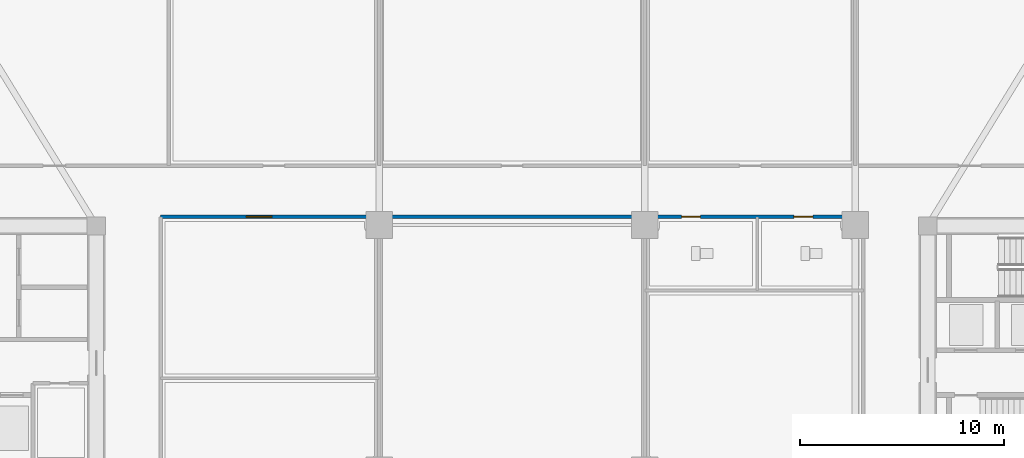
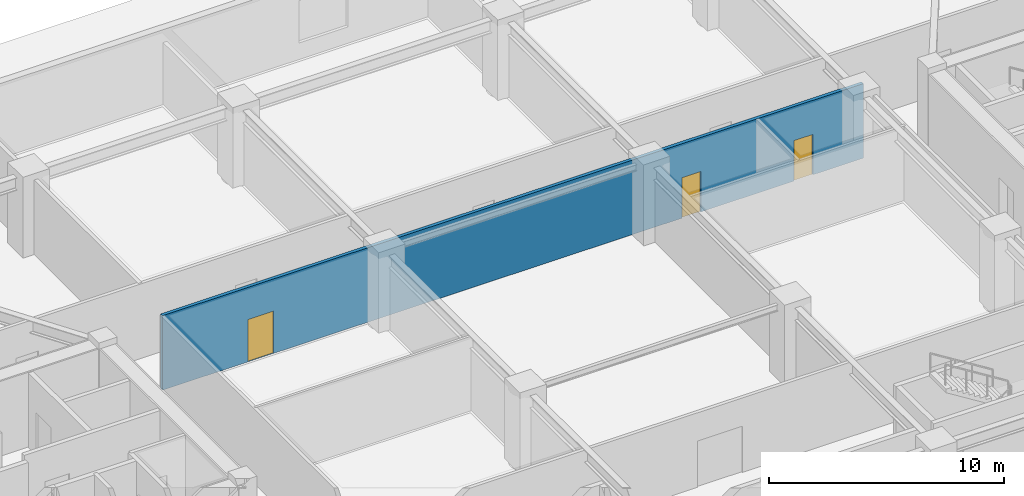
# One storey, part 7 of 22: 3 doors, 1 wall, 3 openings.
"""IFC4 building model written with IfcOpenShell, lengths in metres."""

from ifc_helpers import new_model, si_unit, direction, frame, frame_2d, origin, place, context, subcontext, project, spatial, rectangle, extrude, source, transform, mapped, material, layer, layer_set, type_object, type_shapes, element, fill, save


model = new_model("IFC4")

# Units and contexts
model_context = context("Model", 3, precision=1e-05, world=origin(), true_north=direction((0.0, 1.0)))
body_context = subcontext(model_context, "Body", "Model", "MODEL_VIEW")
ifc_project = project(units=[si_unit("LENGTHUNIT", "METRE"), si_unit("AREAUNIT", "SQUARE_METRE"), si_unit("VOLUMEUNIT", "CUBIC_METRE"), si_unit("PLANEANGLEUNIT", "RADIAN"), si_unit("MASSUNIT", "GRAM", prefix="KILO")], contexts=[model_context])

# Site, building, storey
site_placement = place(None, origin())
site = spatial("IfcSite", under=ifc_project, at=site_placement, CompositionType="ELEMENT")
building_placement = place(site_placement, origin())
building = spatial("IfcBuilding", under=site, at=building_placement, Name="Norrkilde Senior Care Towers", CompositionType="ELEMENT")
storey_placement = place(building_placement, origin())
storey = spatial("IfcBuildingStorey", under=building, at=storey_placement, Name="L00", CompositionType="ELEMENT", Elevation=0.0)

# Wall, openings, doors
ifc_material_1 = material(Name="Gypsum Acoustic Board")
ifc_layer = layer(ifc_material_1, 0.1650390625)
ifc_layer_set = layer_set([ifc_layer], Name="Gypsum Acoustic Board")
wall_type = type_object("IfcWallType", Name="Corridor Rated Partition 165", PredefinedType="PARTITIONING", material=ifc_layer_set)
shared_shape_1 = source(origin(), body_context, "Body", "SweptSolid", [
    extrude(rectangle(XDim=34.39990234375, YDim=0.1650390625, at=frame_2d((17.199951171875, 0.0))), origin(), (0.0, 0.0, 1.0), 3.864990234375),
])
type_shapes(wall_type, [shared_shape_1])
wall_placement = place(storey_placement, frame((-17.199951171875, 6.39990234375, 0.0), z_axis=(0.0, 0.0, 1.0), x_axis=(1.0, 0.0, 0.0)))
wall = element("IfcWall", 1, at=wall_placement, inside=storey, type_object=wall_type, Name="WL-INT-L00-POD-CN", PredefinedType="PARTITIONING", context=body_context, shape_type="MappedRepresentation", body=[
    mapped(shared_shape_1, transform((0.0, 0.0, 0.0), x_axis=(1.0, 0.0, 0.0), y_axis=(0.0, 1.0, 0.0), z_axis=(0.0, 0.0, 1.0), scale=1.0)),
])
opening_1_placement = place(wall_placement, frame((4.199951171875, 0.0, 0.0)))
opening_1 = element("IfcOpeningElement", 2, at=opening_1_placement, cuts=wall, Name="Opening D-05", PredefinedType="OPENING", context=body_context, shape_type="SweptSolid", body=[
    extrude(rectangle(XDim=1.25, YDim=2.199951171875, at=frame_2d((0.625, 1.10009765625))), frame((0.0, 0.092529296875, 0.0), z_axis=(0.0, -1.0, 0.0), x_axis=(1.0, 0.0, 0.0)), (0.0, 0.0, 1.0), 0.18505859375),
])
opening_2_placement = place(wall_placement, frame((25.5, 0.0, 0.0)))
opening_2 = element("IfcOpeningElement", 3, at=opening_2_placement, cuts=wall, Name="Opening D-08", PredefinedType="OPENING", context=body_context, shape_type="SweptSolid", body=[
    extrude(rectangle(XDim=0.919921875, YDim=2.10009765625, at=frame_2d((0.4599609375, 1.050048828125))), frame((0.0, 0.092529296875, 0.0), z_axis=(0.0, -1.0, 0.0), x_axis=(1.0, 0.0, 0.0)), (0.0, 0.0, 1.0), 0.18505859375),
])
opening_3_placement = place(wall_placement, frame((31.0, 0.0, 0.0)))
opening_3 = element("IfcOpeningElement", 4, at=opening_3_placement, cuts=wall, Name="Opening D-08", PredefinedType="OPENING", context=body_context, shape_type="SweptSolid", body=[
    extrude(rectangle(XDim=0.919921875, YDim=2.10009765625, at=frame_2d((0.4599609375, 1.050048828125))), frame((0.0, 0.092529296875, 0.0), z_axis=(0.0, -1.0, 0.0), x_axis=(1.0, 0.0, 0.0)), (0.0, 0.0, 1.0), 0.18505859375),
])
ifc_material_2 = material(Name="Nordic Ash Timber", Category="wood")
door_type_1 = type_object("IfcDoorType", Name="Care Bedroom Bariatric Door 1250x2200", OperationType="NOTDEFINED", PredefinedType="DOOR", material=ifc_material_2)
shared_shape_2 = source(origin(), body_context, "Body", "SweptSolid", [
    extrude(rectangle(XDim=1.25, YDim=2.199951171875, at=frame_2d((0.625, 1.10009765625))), frame((0.0, 0.02490234375, 0.0), z_axis=(0.0, -1.0, 0.0), x_axis=(1.0, 0.0, 0.0)), (0.0, 0.0, 1.0), 0.050048828125),
])
type_shapes(door_type_1, [shared_shape_2])
door_1_placement = place(opening_1_placement, frame((1.25, 0.0, 0.0), z_axis=(0.0, 0.0, 1.0), x_axis=(-1.0, 0.0, 0.0)))
door_1 = element("IfcDoor", 5, at=door_1_placement, inside=storey, type_object=door_type_1, Name="L00 Clinic West North Door", OperationType="SINGLE_SWING_RIGHT", OverallHeight=2.199951171875, OverallWidth=1.25, PredefinedType="DOOR", context=body_context, shape_type="MappedRepresentation", body=[
    mapped(shared_shape_2, transform((0.0, 0.0, 0.0), x_axis=(1.0, 0.0, 0.0), y_axis=(0.0, 1.0, 0.0), z_axis=(0.0, 0.0, 1.0), scale=1.0)),
])
fill(opening_1, door_1)
door_type_2 = type_object("IfcDoorType", Name="Accessible Wet Room Door 920x2100", OperationType="NOTDEFINED", PredefinedType="DOOR", material=ifc_material_2)
shared_shape_3 = source(origin(), body_context, "Body", "SweptSolid", [
    extrude(rectangle(XDim=0.919921875, YDim=2.10009765625, at=frame_2d((0.4599609375, 1.050048828125))), frame((0.0, 0.02490234375, 0.0), z_axis=(0.0, -1.0, 0.0), x_axis=(1.0, 0.0, 0.0)), (0.0, 0.0, 1.0), 0.050048828125),
])
type_shapes(door_type_2, [shared_shape_3])
door_2_placement = place(opening_2_placement, frame((0.919921875, 0.0, 0.0), z_axis=(0.0, 0.0, 1.0), x_axis=(-1.0, 0.0, 0.0)))
door_2 = element("IfcDoor", 6, at=door_2_placement, inside=storey, type_object=door_type_2, Name="L00 Accessible WC Door", OperationType="SINGLE_SWING_LEFT", OverallHeight=2.10009765625, OverallWidth=0.919921875, PredefinedType="DOOR", context=body_context, shape_type="MappedRepresentation", body=[
    mapped(shared_shape_3, transform((0.0, 0.0, 0.0), x_axis=(1.0, 0.0, 0.0), y_axis=(0.0, 1.0, 0.0), z_axis=(0.0, 0.0, 1.0), scale=1.0)),
])
fill(opening_2, door_2)
door_3_placement = place(opening_3_placement, frame((0.919921875, 0.0, 0.0), z_axis=(0.0, 0.0, 1.0), x_axis=(-1.0, 0.0, 0.0)))
door_3 = element("IfcDoor", 7, at=door_3_placement, inside=storey, type_object=door_type_2, Name="L00 Public Restroom Door", OperationType="SINGLE_SWING_RIGHT", OverallHeight=2.10009765625, OverallWidth=0.919921875, PredefinedType="DOOR", context=body_context, shape_type="MappedRepresentation", body=[
    mapped(shared_shape_3, transform((0.0, 0.0, 0.0), x_axis=(1.0, 0.0, 0.0), y_axis=(0.0, 1.0, 0.0), z_axis=(0.0, 0.0, 1.0), scale=1.0)),
])
fill(opening_3, door_3)

save(model, "model.ifc")
